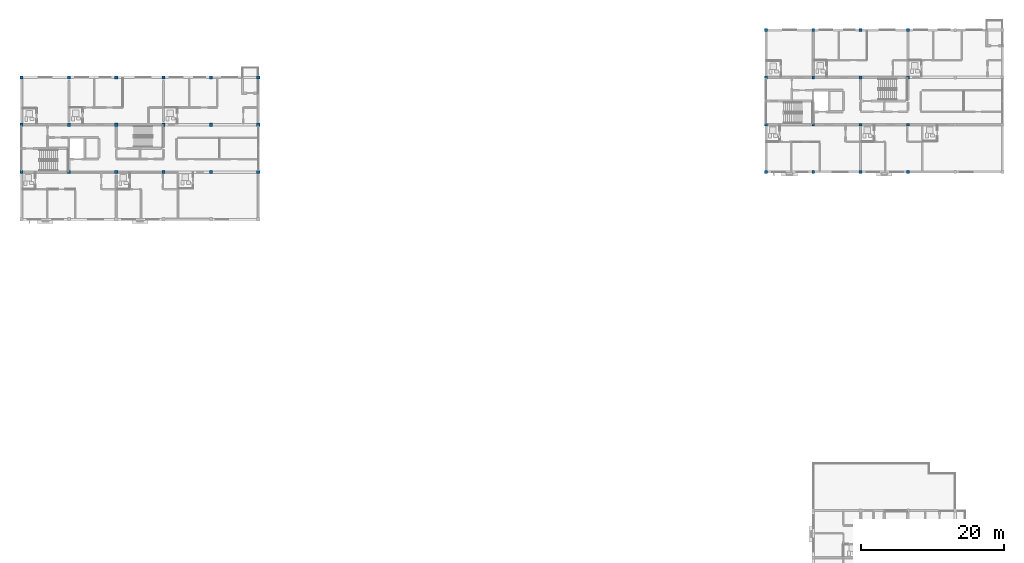
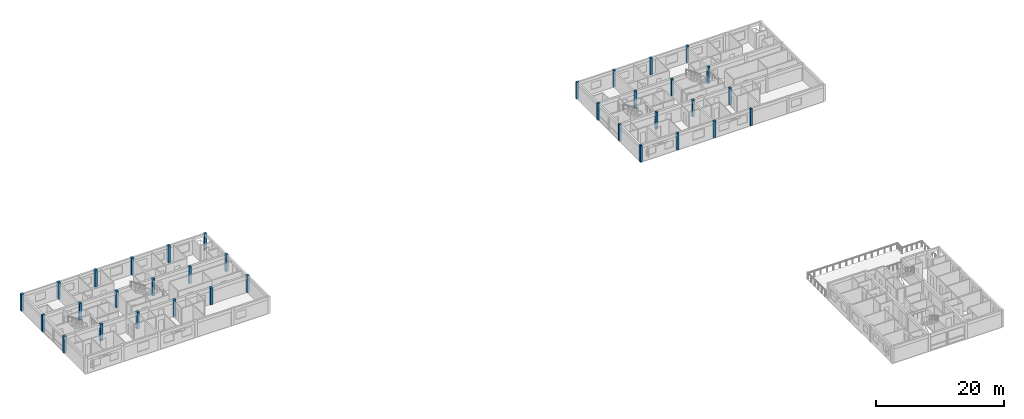
# One storey, part 2 of 37: 34 columns.
"""IFC4 building model written with IfcOpenShell, lengths in metres."""

from ifc_helpers import new_model, si_unit, direction, frame, origin, origin_2d, place, context, subcontext, project, spatial, rectangle, extrude, material, material_profile, profile_set, type_object, element, save


model = new_model("IFC4")

# Units and contexts
model_context = context("Model", 3, precision=1e-05, world=origin(), true_north=direction((0.0, 1.0)))
body_context = subcontext(model_context, "Body", "Model", "MODEL_VIEW")
ifc_project = project(units=[si_unit("LENGTHUNIT", "METRE"), si_unit("AREAUNIT", "SQUARE_METRE"), si_unit("VOLUMEUNIT", "CUBIC_METRE"), si_unit("PLANEANGLEUNIT", "RADIAN"), si_unit("MASSUNIT", "GRAM", prefix="KILO")], contexts=[model_context])

# Site, building, storey
site_placement = place(None, origin())
site = spatial("IfcSite", under=ifc_project, at=site_placement, CompositionType="ELEMENT")
building_placement = place(site_placement, origin())
building = spatial("IfcBuilding", under=site, at=building_placement, Name="Kernevlak Ridge Housing Community", CompositionType="ELEMENT")
storey_placement = place(building_placement, frame((0.0, 0.0, 37.199951171875)))
storey = spatial("IfcBuildingStorey", under=building, at=storey_placement, Name="L11", CompositionType="ELEMENT", Elevation=37.199951171875)

# Columns
ifc_material = material(Name="Concrete C35/45", Category="concrete")
ifc_material_profile_1 = material_profile(ifc_material, rectangle(XDim=0.449951171875, YDim=0.449951171875, at=origin_2d()), Name="RC 450x450")
ifc_profile_set_1 = profile_set([ifc_material_profile_1], Name="Concrete C35/45")
column_type_1 = type_object("IfcColumnType", Name="C-04", PredefinedType="COLUMN", material=ifc_profile_set_1)
for number, where, z_axis, x_axis, name in (
    (1, (15.60009765625, 82.60009765625, 0.0), (0.0, 0.0, 1.0), (1.0, 0.0, 0.0), "Column C-04 COL-A-L11-00-1"),
    (2, (15.60009765625, 89.199951171875, 0.0), (0.0, 0.0, 1.0), (1.0, 0.0, 0.0), "Column C-04 COL-A-L11-00-2"),
    (3, (15.60009765625, 95.800048828125, 0.0), (0.0, 0.0, 1.0), (1.0, 0.0, 0.0), "Column C-04 COL-A-L11-00-3"),
    (4, (22.199951171875, 82.60009765625, 0.0), (0.0, 0.0, 1.0), (1.0, 0.0, 0.0), "Column C-04 COL-A-L11-01-1"),
    (5, (22.199951171875, 89.199951171875, 0.0), (0.0, 0.0, 1.0), (1.0, 0.0, 0.0), "Column C-04 COL-A-L11-01-2"),
    (6, (22.199951171875, 95.800048828125, 0.0), (0.0, 0.0, 1.0), (1.0, 0.0, 0.0), "Column C-04 COL-A-L11-01-3"),
    (7, (28.800048828125, 82.60009765625, 0.0), (0.0, 0.0, 1.0), (1.0, 0.0, 0.0), "Column C-04 COL-A-L11-02-1"),
    (8, (28.800048828125, 89.199951171875, 0.0), (0.0, 0.0, 1.0), (1.0, 0.0, 0.0), "Column C-04 COL-A-L11-02-2"),
    (9, (28.800048828125, 95.800048828125, 0.0), (0.0, 0.0, 1.0), (1.0, 0.0, 0.0), "Column C-04 COL-A-L11-02-3"),
    (10, (35.39990234375, 82.60009765625, 0.0), (0.0, 0.0, 1.0), (1.0, 0.0, 0.0), "Column C-04 COL-A-L11-03-1"),
    (11, (35.39990234375, 89.199951171875, 0.0), (0.0, 0.0, 1.0), (1.0, 0.0, 0.0), "Column C-04 COL-A-L11-03-2"),
    (12, (35.39990234375, 95.800048828125, 0.0), (0.0, 0.0, 1.0), (1.0, 0.0, 0.0), "Column C-04 COL-A-L11-03-3"),
    (13, (42.0, 82.60009765625, 0.0), (0.0, 0.0, 1.0), (1.0, 0.0, 0.0), "Column C-04 COL-A-L11-04-1"),
    (14, (42.0, 89.199951171875, 0.0), (0.0, 0.0, 1.0), (1.0, 0.0, 0.0), "Column C-04 COL-A-L11-04-2"),
    (15, (42.0, 95.800048828125, 0.0), (0.0, 0.0, 1.0), (1.0, 0.0, 0.0), "Column C-04 COL-A-L11-04-3"),
    (16, (48.60009765625, 82.60009765625, 0.0), (0.0, 0.0, 1.0), (1.0, 0.0, 0.0), "Column C-04 COL-A-L11-05-1"),
    (17, (48.60009765625, 89.199951171875, 0.0), (0.0, 0.0, 1.0), (1.0, 0.0, 0.0), "Column C-04 COL-A-L11-05-2"),
    (18, (48.60009765625, 95.800048828125, 0.0), (0.0, 0.0, 1.0), (1.0, 0.0, 0.0), "Column C-04 COL-A-L11-05-3"),
):
    element("IfcColumn", number, at=place(storey_placement, frame(where, z_axis=z_axis, x_axis=x_axis)), inside=storey, type_object=column_type_1, Name=name, PredefinedType="COLUMN", context=body_context, shape_type="SweptSolid", body=[
        extrude(rectangle(XDim=0.449951171875, YDim=0.449951171875, at=origin_2d()), origin(), (0.0, 0.0, 1.0), 3.199951171875),
    ])
ifc_material_profile_2 = material_profile(ifc_material, rectangle(XDim=0.39990234375, YDim=0.39990234375, at=origin_2d()), Name="RC 400x400")
ifc_profile_set_2 = profile_set([ifc_material_profile_2], Name="Concrete C35/45")
column_type_2 = type_object("IfcColumnType", Name="C-05", PredefinedType="COLUMN", material=ifc_profile_set_2)
for number, where, z_axis, x_axis, name in (
    (19, (119.39990234375, 82.60009765625, 0.0), (0.0, 0.0, 1.0), (1.0, 0.0, 0.0), "Column C-05 COL-B-L11-00-0"),
    (20, (119.39990234375, 89.199951171875, 0.0), (0.0, 0.0, 1.0), (1.0, 0.0, 0.0), "Column C-05 COL-B-L11-00-1"),
    (21, (119.39990234375, 95.800048828125, 0.0), (0.0, 0.0, 1.0), (1.0, 0.0, 0.0), "Column C-05 COL-B-L11-00-2"),
    (22, (119.39990234375, 102.39990234375, 0.0), (0.0, 0.0, 1.0), (1.0, 0.0, 0.0), "Column C-05 COL-B-L11-00-3"),
    (23, (126.0, 82.60009765625, 0.0), (0.0, 0.0, 1.0), (1.0, 0.0, 0.0), "Column C-05 COL-B-L11-01-0"),
    (24, (126.0, 89.199951171875, 0.0), (0.0, 0.0, 1.0), (1.0, 0.0, 0.0), "Column C-05 COL-B-L11-01-1"),
    (25, (126.0, 95.800048828125, 0.0), (0.0, 0.0, 1.0), (1.0, 0.0, 0.0), "Column C-05 COL-B-L11-01-2"),
    (26, (126.0, 102.39990234375, 0.0), (0.0, 0.0, 1.0), (1.0, 0.0, 0.0), "Column C-05 COL-B-L11-01-3"),
    (27, (132.60009765625, 82.60009765625, 0.0), (0.0, 0.0, 1.0), (1.0, 0.0, 0.0), "Column C-05 COL-B-L11-02-0"),
    (28, (132.60009765625, 89.199951171875, 0.0), (0.0, 0.0, 1.0), (1.0, 0.0, 0.0), "Column C-05 COL-B-L11-02-1"),
    (29, (132.60009765625, 95.800048828125, 0.0), (0.0, 0.0, 1.0), (1.0, 0.0, 0.0), "Column C-05 COL-B-L11-02-2"),
    (30, (132.60009765625, 102.39990234375, 0.0), (0.0, 0.0, 1.0), (1.0, 0.0, 0.0), "Column C-05 COL-B-L11-02-3"),
    (31, (139.199951171875, 82.60009765625, 0.0), (0.0, 0.0, 1.0), (1.0, 0.0, 0.0), "Column C-05 COL-B-L11-03-0"),
    (32, (139.199951171875, 89.199951171875, 0.0), (0.0, 0.0, 1.0), (1.0, 0.0, 0.0), "Column C-05 COL-B-L11-03-1"),
    (33, (139.199951171875, 95.800048828125, 0.0), (0.0, 0.0, 1.0), (1.0, 0.0, 0.0), "Column C-05 COL-B-L11-03-2"),
    (34, (139.199951171875, 102.39990234375, 0.0), (0.0, 0.0, 1.0), (1.0, 0.0, 0.0), "Column C-05 COL-B-L11-03-3"),
):
    element("IfcColumn", number, at=place(storey_placement, frame(where, z_axis=z_axis, x_axis=x_axis)), inside=storey, type_object=column_type_2, Name=name, PredefinedType="COLUMN", context=body_context, shape_type="SweptSolid", body=[
        extrude(rectangle(XDim=0.39990234375, YDim=0.39990234375, at=origin_2d()), origin(), (0.0, 0.0, 1.0), 3.199951171875),
    ])

save(model, "model.ifc")
